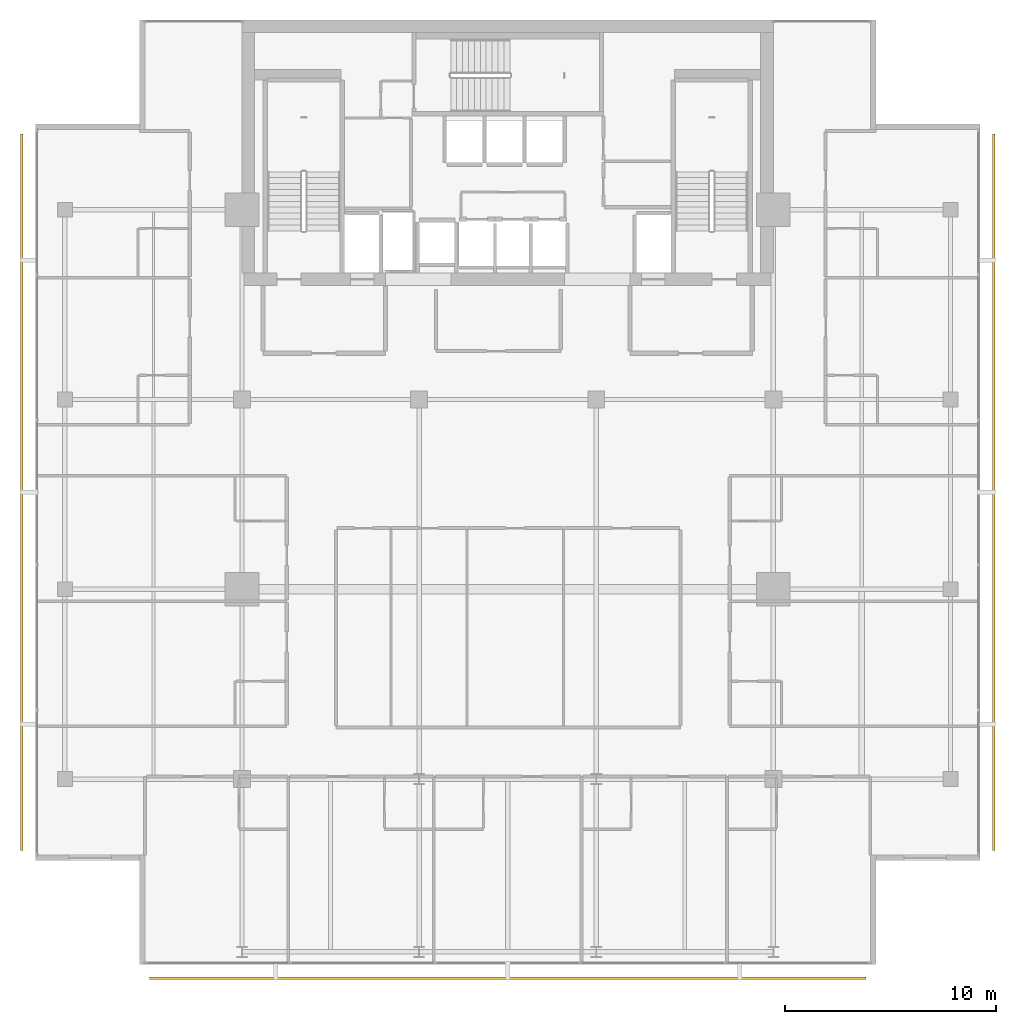
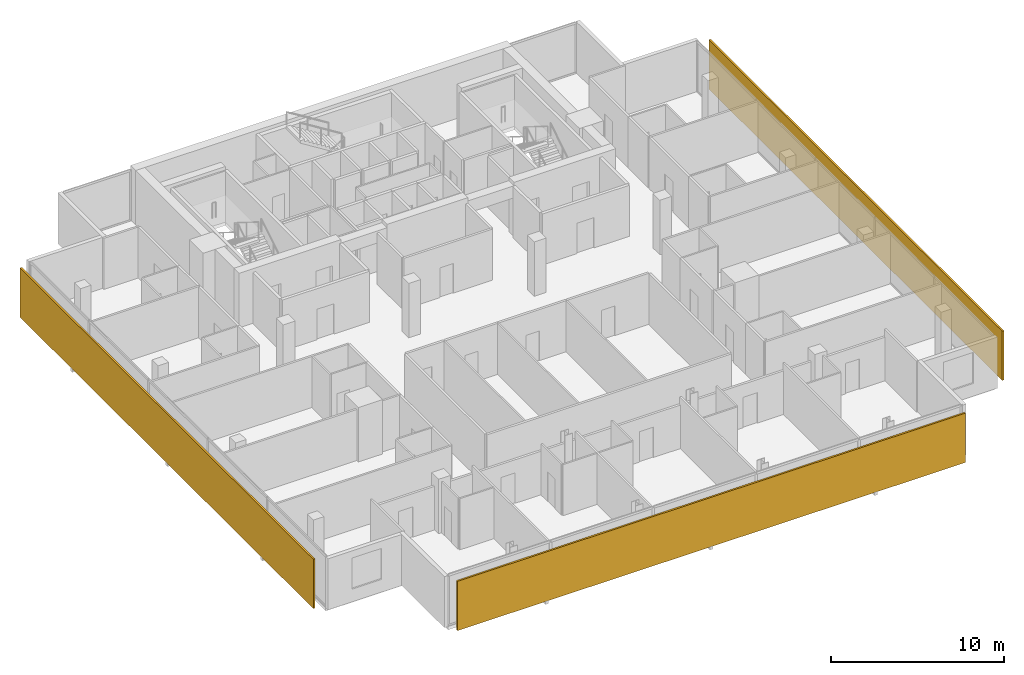
# One storey, part 24 of 25: 3 shading devices.
"""IFC4 building model written with IfcOpenShell, lengths in metres."""

from ifc_helpers import new_model, si_unit, direction, frame, origin, origin_2d, place, context, subcontext, project, spatial, rectangle, extrude, material, layer, layer_set, type_object, element, save


model = new_model("IFC4")

# Units and contexts
model_context = context("Model", 3, precision=1e-05, world=origin(), true_north=direction((0.0, 1.0)))
body_context = subcontext(model_context, "Body", "Model", "MODEL_VIEW")
ifc_project = project(units=[si_unit("LENGTHUNIT", "METRE"), si_unit("AREAUNIT", "SQUARE_METRE"), si_unit("VOLUMEUNIT", "CUBIC_METRE"), si_unit("PLANEANGLEUNIT", "RADIAN"), si_unit("MASSUNIT", "GRAM", prefix="KILO")], contexts=[model_context])

# Site, building, storey
site_placement = place(None, origin())
site = spatial("IfcSite", under=ifc_project, at=site_placement, CompositionType="ELEMENT")
building_placement = place(site_placement, origin())
building = spatial("IfcBuilding", under=site, at=building_placement, Name="Maruvema Waterfront Hotel and Observation Tower", CompositionType="ELEMENT")
storey_placement = place(building_placement, frame((0.0, 0.0, 270.199951171875)))
storey = spatial("IfcBuildingStorey", under=building, at=storey_placement, Name="L66", CompositionType="ELEMENT", Elevation=270.199951171875)

# Shading devices
ifc_material = material(Name="Honed travertine stone and anodised architectural bronze", Category="masonry")
ifc_layer = layer(ifc_material, 0.1201171875, Name="Ventilated Outer Skin Cobogo Stone-and-Bronze Screen 120 mm")
ifc_layer_set = layer_set([ifc_layer], Name="Honed travertine stone and anodised architectural bronze")
shading_device_type = type_object("IfcShadingDeviceType", Name="Ventilated Outer Skin Cobogo Stone-and-Bronze Screen 120 mm", PredefinedType="USERDEFINED", material=ifc_layer_set)
for number, where, z_axis, x_axis, name in (
    (1, (37.800048828125, 8.550048828125, 0.06005859375), (0.0, 0.0, 1.0), (1.0, 0.0, 0.0), "L66 Ventilated Double-Skin Outer Cobogo Screen OS-L66-S"),
    (2, (60.85009765625, 31.60009765625, 0.06005859375), (0.0, 0.0, 1.0), (0.0, 1.0, 0.0), "L66 Ventilated Double-Skin Outer Cobogo Screen OS-L66-E"),
    (3, (14.75, 31.60009765625, 0.06005859375), (0.0, 0.0, 1.0), (0.0, -1.0, 0.0), "L66 Ventilated Double-Skin Outer Cobogo Screen OS-L66-W"),
):
    element("IfcShadingDevice", number, at=place(storey_placement, frame(where, z_axis=z_axis, x_axis=x_axis)), inside=storey, type_object=shading_device_type, Name=name, ObjectType="OUTER SKIN SCREEN", PredefinedType="USERDEFINED", context=body_context, shape_type="SweptSolid", body=[
        extrude(rectangle(XDim=34.0, YDim=0.1201171875, at=origin_2d()), origin(), (0.0, 0.0, 1.0), 3.489990234375),
    ])

save(model, "model.ifc")
